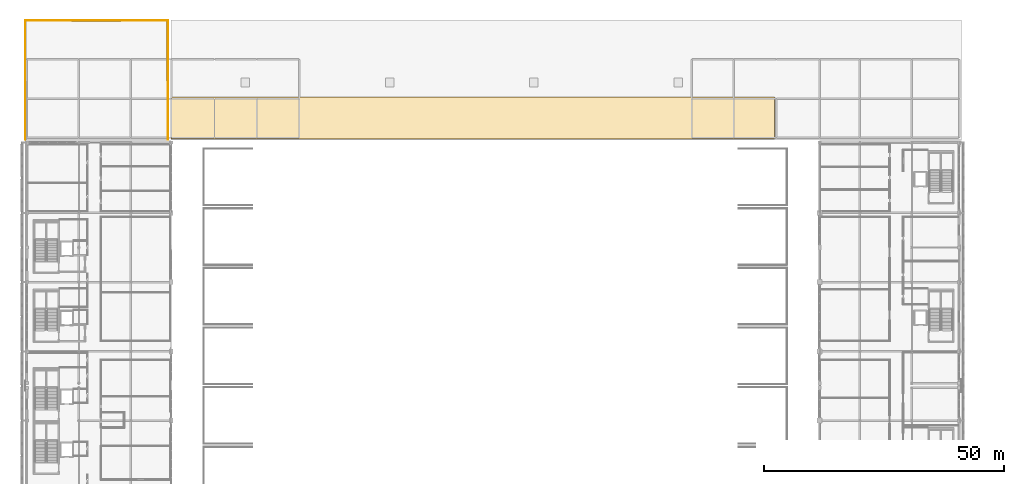
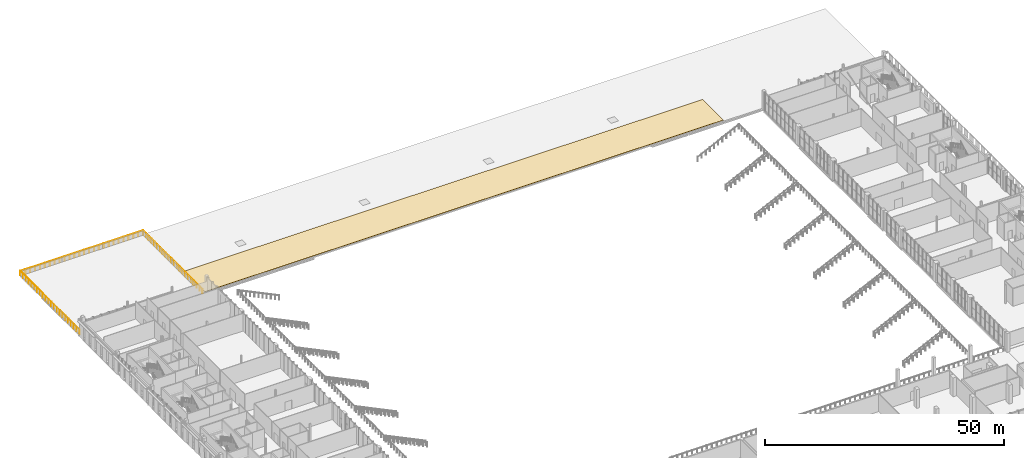
# One storey, part 104 of 104: 3 railings, 1 covering.
"""IFC4 building model written with IfcOpenShell, lengths in metres."""

from ifc_helpers import new_model, si_unit, direction, frame, origin, origin_2d, place, context, subcontext, project, spatial, polyline, circle, outline, extrude, material, layer, layer_set, type_object, element, save


model = new_model("IFC4")

# Units and contexts
model_context = context("Model", 3, precision=1e-05, world=origin(), true_north=direction((0.0, 1.0)))
body_context = subcontext(model_context, "Body", "Model", "MODEL_VIEW")
ifc_project = project(units=[si_unit("LENGTHUNIT", "METRE"), si_unit("AREAUNIT", "SQUARE_METRE"), si_unit("VOLUMEUNIT", "CUBIC_METRE"), si_unit("PLANEANGLEUNIT", "RADIAN"), si_unit("MASSUNIT", "GRAM", prefix="KILO")], contexts=[model_context])

# Site, building, storey
site_placement = place(None, origin())
site = spatial("IfcSite", under=ifc_project, at=site_placement, CompositionType="ELEMENT")
building_placement = place(site_placement, origin())
building = spatial("IfcBuilding", under=site, at=building_placement, Name="Koshinbarg Plaza Stadium", CompositionType="ELEMENT")
storey_placement = place(building_placement, frame((0.0, 0.0, 19.800048828125)))
storey = spatial("IfcBuildingStorey", under=building, at=storey_placement, Name="L04", CompositionType="ELEMENT", Elevation=19.800048828125)

# Covering
ifc_material_1 = material(Name="EPDM waterproofing membrane and rigid mineral-wool roof insulation")
ifc_layer = layer(ifc_material_1, 0.080078125)
ifc_layer_set = layer_set([ifc_layer], Name="EPDM waterproofing membrane and rigid mineral-wool roof insulation")
covering_type = type_object("IfcCoveringType", Name="COV-ROOFING-01", PredefinedType="ROOFING", material=ifc_layer_set)
covering_placement = place(storey_placement, origin())
element("IfcCovering", 1, at=covering_placement, inside=storey, type_object=covering_type, Name="L04 insulated membrane roofing RFG-V3-M", PredefinedType="ROOFING", context=body_context, shape_type="SweptSolid", body=[
    extrude(outline(polyline([(54.60009765625, 127.300048828125), (180.0, 127.300048828125), (180.0, 136.0), (54.60009765625, 136.0), (54.60009765625, 127.300048828125)])), origin(), (0.0, 0.0, 1.0), 0.079833984375),
])

# Railings
ifc_material_2 = material(Name="Galvanized painted steel guardrail", Category="steel")
railing_type = type_object("IfcRailingType", Name="RL-GUARD-1100", PredefinedType="GUARDRAIL", material=ifc_material_2)
railing_1_placement = place(storey_placement, frame((53.919921875, 127.125, 0.0)))
element("IfcRailing", 2, at=railing_1_placement, inside=storey, type_object=railing_type, Name="L04 roof garden RG-L04-N guard 0007", PredefinedType="GUARDRAIL", context=body_context, shape_type="SweptSolid", body=[
    extrude(circle(Radius=0.02392578125, at=origin_2d()), frame((0.0, 0.0, 1.076171875), z_axis=(0.0, 1.0, 0.0), x_axis=(-1.0, 0.0, 0.0)), (0.0, 0.0, 1.0), 24.794921875),
    extrude(circle(Radius=0.02099609375, at=origin_2d()), origin(), (0.0, 0.0, 1.0), 1.052001953125),
    extrude(circle(Radius=0.02099609375, at=origin_2d()), frame((0.0, 1.1806640625, 0.0)), (0.0, 0.0, 1.0), 1.052001953125),
    extrude(circle(Radius=0.02099609375, at=origin_2d()), frame((0.0, 2.361328125, 0.0)), (0.0, 0.0, 1.0), 1.052001953125),
    extrude(circle(Radius=0.02099609375, at=origin_2d()), frame((0.0, 3.542236328125, 0.0)), (0.0, 0.0, 1.0), 1.052001953125),
    extrude(circle(Radius=0.02099609375, at=origin_2d()), frame((0.0, 4.722900390625, 0.0)), (0.0, 0.0, 1.0), 1.052001953125),
    extrude(circle(Radius=0.02099609375, at=origin_2d()), frame((0.0, 5.903564453125, 0.0)), (0.0, 0.0, 1.0), 1.052001953125),
    extrude(circle(Radius=0.02099609375, at=origin_2d()), frame((0.0, 7.084228515625, 0.0)), (0.0, 0.0, 1.0), 1.052001953125),
    extrude(circle(Radius=0.02099609375, at=origin_2d()), frame((0.0, 8.264892578125, 0.0)), (0.0, 0.0, 1.0), 1.052001953125),
    extrude(circle(Radius=0.02099609375, at=origin_2d()), frame((0.0, 9.44580078125, 0.0)), (0.0, 0.0, 1.0), 1.052001953125),
    extrude(circle(Radius=0.02099609375, at=origin_2d()), frame((0.0, 10.62646484375, 0.0)), (0.0, 0.0, 1.0), 1.052001953125),
    extrude(circle(Radius=0.02099609375, at=origin_2d()), frame((0.0, 11.80712890625, 0.0)), (0.0, 0.0, 1.0), 1.052001953125),
    extrude(circle(Radius=0.02099609375, at=origin_2d()), frame((0.0, 12.98779296875, 0.0)), (0.0, 0.0, 1.0), 1.052001953125),
    extrude(circle(Radius=0.02099609375, at=origin_2d()), frame((0.0, 14.16845703125, 0.0)), (0.0, 0.0, 1.0), 1.052001953125),
    extrude(circle(Radius=0.02099609375, at=origin_2d()), frame((0.0, 15.34912109375, 0.0)), (0.0, 0.0, 1.0), 1.052001953125),
    extrude(circle(Radius=0.02099609375, at=origin_2d()), frame((0.0, 16.530029296875, 0.0)), (0.0, 0.0, 1.0), 1.052001953125),
    extrude(circle(Radius=0.02099609375, at=origin_2d()), frame((0.0, 17.710693359375, 0.0)), (0.0, 0.0, 1.0), 1.052001953125),
    extrude(circle(Radius=0.02099609375, at=origin_2d()), frame((0.0, 18.891357421875, 0.0)), (0.0, 0.0, 1.0), 1.052001953125),
    extrude(circle(Radius=0.02099609375, at=origin_2d()), frame((0.0, 20.072021484375, 0.0)), (0.0, 0.0, 1.0), 1.052001953125),
    extrude(circle(Radius=0.02099609375, at=origin_2d()), frame((0.0, 21.252685546875, 0.0)), (0.0, 0.0, 1.0), 1.052001953125),
    extrude(circle(Radius=0.02099609375, at=origin_2d()), frame((0.0, 22.43359375, 0.0)), (0.0, 0.0, 1.0), 1.052001953125),
    extrude(circle(Radius=0.02099609375, at=origin_2d()), frame((0.0, 23.6142578125, 0.0)), (0.0, 0.0, 1.0), 1.052001953125),
    extrude(circle(Radius=0.02099609375, at=origin_2d()), frame((0.0, 24.794921875, 0.0)), (0.0, 0.0, 1.0), 1.052001953125),
])
railing_2_placement = place(storey_placement, frame((53.919921875, 151.919921875, 0.0)))
element("IfcRailing", 3, at=railing_2_placement, inside=storey, type_object=railing_type, Name="L04 roof garden RG-L04-N guard 0008", PredefinedType="GUARDRAIL", context=body_context, shape_type="SweptSolid", body=[
    extrude(circle(Radius=0.02392578125, at=origin_2d()), frame((0.0, 0.0, 1.076171875), z_axis=(-1.0, 0.0, 0.0), x_axis=(0.0, -1.0, 0.0)), (0.0, 0.0, 1.0), 29.69482421875),
    extrude(circle(Radius=0.02099609375, at=origin_2d()), origin(), (0.0, 0.0, 1.0), 1.052001953125),
    extrude(circle(Radius=0.02099609375, at=origin_2d()), frame((-1.187744140625, 0.0, 0.0)), (0.0, 0.0, 1.0), 1.052001953125),
    extrude(circle(Radius=0.02099609375, at=origin_2d()), frame((-2.37548828125, 0.0, 0.0)), (0.0, 0.0, 1.0), 1.052001953125),
    extrude(circle(Radius=0.02099609375, at=origin_2d()), frame((-3.5634765625, 0.0, 0.0)), (0.0, 0.0, 1.0), 1.052001953125),
    extrude(circle(Radius=0.02099609375, at=origin_2d()), frame((-4.751220703125, 0.0, 0.0)), (0.0, 0.0, 1.0), 1.052001953125),
    extrude(circle(Radius=0.02099609375, at=origin_2d()), frame((-5.93896484375, 0.0, 0.0)), (0.0, 0.0, 1.0), 1.052001953125),
    extrude(circle(Radius=0.02099609375, at=origin_2d()), frame((-7.126708984375, 0.0, 0.0)), (0.0, 0.0, 1.0), 1.052001953125),
    extrude(circle(Radius=0.02099609375, at=origin_2d()), frame((-8.314453125, 0.0, 0.0)), (0.0, 0.0, 1.0), 1.052001953125),
    extrude(circle(Radius=0.02099609375, at=origin_2d()), frame((-9.50244140625, 0.0, 0.0)), (0.0, 0.0, 1.0), 1.052001953125),
    extrude(circle(Radius=0.02099609375, at=origin_2d()), frame((-10.690185546875, 0.0, 0.0)), (0.0, 0.0, 1.0), 1.052001953125),
    extrude(circle(Radius=0.02099609375, at=origin_2d()), frame((-11.8779296875, 0.0, 0.0)), (0.0, 0.0, 1.0), 1.052001953125),
    extrude(circle(Radius=0.02099609375, at=origin_2d()), frame((-13.065673828125, 0.0, 0.0)), (0.0, 0.0, 1.0), 1.052001953125),
    extrude(circle(Radius=0.02099609375, at=origin_2d()), frame((-14.25341796875, 0.0, 0.0)), (0.0, 0.0, 1.0), 1.052001953125),
    extrude(circle(Radius=0.02099609375, at=origin_2d()), frame((-15.44140625, 0.0, 0.0)), (0.0, 0.0, 1.0), 1.052001953125),
    extrude(circle(Radius=0.02099609375, at=origin_2d()), frame((-16.629150390625, 0.0, 0.0)), (0.0, 0.0, 1.0), 1.052001953125),
    extrude(circle(Radius=0.02099609375, at=origin_2d()), frame((-17.81689453125, 0.0, 0.0)), (0.0, 0.0, 1.0), 1.052001953125),
    extrude(circle(Radius=0.02099609375, at=origin_2d()), frame((-19.004638671875, 0.0, 0.0)), (0.0, 0.0, 1.0), 1.052001953125),
    extrude(circle(Radius=0.02099609375, at=origin_2d()), frame((-20.1923828125, 0.0, 0.0)), (0.0, 0.0, 1.0), 1.052001953125),
    extrude(circle(Radius=0.02099609375, at=origin_2d()), frame((-21.38037109375, 0.0, 0.0)), (0.0, 0.0, 1.0), 1.052001953125),
    extrude(circle(Radius=0.02099609375, at=origin_2d()), frame((-22.568115234375, 0.0, 0.0)), (0.0, 0.0, 1.0), 1.052001953125),
    extrude(circle(Radius=0.02099609375, at=origin_2d()), frame((-23.755859375, 0.0, 0.0)), (0.0, 0.0, 1.0), 1.052001953125),
    extrude(circle(Radius=0.02099609375, at=origin_2d()), frame((-24.943603515625, 0.0, 0.0)), (0.0, 0.0, 1.0), 1.052001953125),
    extrude(circle(Radius=0.02099609375, at=origin_2d()), frame((-26.13134765625, 0.0, 0.0)), (0.0, 0.0, 1.0), 1.052001953125),
    extrude(circle(Radius=0.02099609375, at=origin_2d()), frame((-27.3193359375, 0.0, 0.0)), (0.0, 0.0, 1.0), 1.052001953125),
    extrude(circle(Radius=0.02099609375, at=origin_2d()), frame((-28.507080078125, 0.0, 0.0)), (0.0, 0.0, 1.0), 1.052001953125),
    extrude(circle(Radius=0.02099609375, at=origin_2d()), frame((-29.69482421875, 0.0, 0.0)), (0.0, 0.0, 1.0), 1.052001953125),
])
railing_3_placement = place(storey_placement, frame((24.22509765625, 151.919921875, 0.0)))
element("IfcRailing", 4, at=railing_3_placement, inside=storey, type_object=railing_type, Name="L04 roof garden RG-L04-N guard 0009", PredefinedType="GUARDRAIL", context=body_context, shape_type="SweptSolid", body=[
    extrude(circle(Radius=0.02392578125, at=origin_2d()), frame((0.0, 0.0, 1.076171875), z_axis=(0.0, -1.0, 0.0), x_axis=(1.0, 0.0, 0.0)), (0.0, 0.0, 1.0), 24.794921875),
    extrude(circle(Radius=0.02099609375, at=origin_2d()), origin(), (0.0, 0.0, 1.0), 1.052001953125),
    extrude(circle(Radius=0.02099609375, at=origin_2d()), frame((0.0, -1.1806640625, 0.0)), (0.0, 0.0, 1.0), 1.052001953125),
    extrude(circle(Radius=0.02099609375, at=origin_2d()), frame((0.0, -2.361328125, 0.0)), (0.0, 0.0, 1.0), 1.052001953125),
    extrude(circle(Radius=0.02099609375, at=origin_2d()), frame((0.0, -3.542236328125, 0.0)), (0.0, 0.0, 1.0), 1.052001953125),
    extrude(circle(Radius=0.02099609375, at=origin_2d()), frame((0.0, -4.722900390625, 0.0)), (0.0, 0.0, 1.0), 1.052001953125),
    extrude(circle(Radius=0.02099609375, at=origin_2d()), frame((0.0, -5.903564453125, 0.0)), (0.0, 0.0, 1.0), 1.052001953125),
    extrude(circle(Radius=0.02099609375, at=origin_2d()), frame((0.0, -7.084228515625, 0.0)), (0.0, 0.0, 1.0), 1.052001953125),
    extrude(circle(Radius=0.02099609375, at=origin_2d()), frame((0.0, -8.264892578125, 0.0)), (0.0, 0.0, 1.0), 1.052001953125),
    extrude(circle(Radius=0.02099609375, at=origin_2d()), frame((0.0, -9.44580078125, 0.0)), (0.0, 0.0, 1.0), 1.052001953125),
    extrude(circle(Radius=0.02099609375, at=origin_2d()), frame((0.0, -10.62646484375, 0.0)), (0.0, 0.0, 1.0), 1.052001953125),
    extrude(circle(Radius=0.02099609375, at=origin_2d()), frame((0.0, -11.80712890625, 0.0)), (0.0, 0.0, 1.0), 1.052001953125),
    extrude(circle(Radius=0.02099609375, at=origin_2d()), frame((0.0, -12.98779296875, 0.0)), (0.0, 0.0, 1.0), 1.052001953125),
    extrude(circle(Radius=0.02099609375, at=origin_2d()), frame((0.0, -14.16845703125, 0.0)), (0.0, 0.0, 1.0), 1.052001953125),
    extrude(circle(Radius=0.02099609375, at=origin_2d()), frame((0.0, -15.34912109375, 0.0)), (0.0, 0.0, 1.0), 1.052001953125),
    extrude(circle(Radius=0.02099609375, at=origin_2d()), frame((0.0, -16.530029296875, 0.0)), (0.0, 0.0, 1.0), 1.052001953125),
    extrude(circle(Radius=0.02099609375, at=origin_2d()), frame((0.0, -17.710693359375, 0.0)), (0.0, 0.0, 1.0), 1.052001953125),
    extrude(circle(Radius=0.02099609375, at=origin_2d()), frame((0.0, -18.891357421875, 0.0)), (0.0, 0.0, 1.0), 1.052001953125),
    extrude(circle(Radius=0.02099609375, at=origin_2d()), frame((0.0, -20.072021484375, 0.0)), (0.0, 0.0, 1.0), 1.052001953125),
    extrude(circle(Radius=0.02099609375, at=origin_2d()), frame((0.0, -21.252685546875, 0.0)), (0.0, 0.0, 1.0), 1.052001953125),
    extrude(circle(Radius=0.02099609375, at=origin_2d()), frame((0.0, -22.43359375, 0.0)), (0.0, 0.0, 1.0), 1.052001953125),
    extrude(circle(Radius=0.02099609375, at=origin_2d()), frame((0.0, -23.6142578125, 0.0)), (0.0, 0.0, 1.0), 1.052001953125),
    extrude(circle(Radius=0.02099609375, at=origin_2d()), frame((0.0, -24.794921875, 0.0)), (0.0, 0.0, 1.0), 1.052001953125),
])

save(model, "model.ifc")
